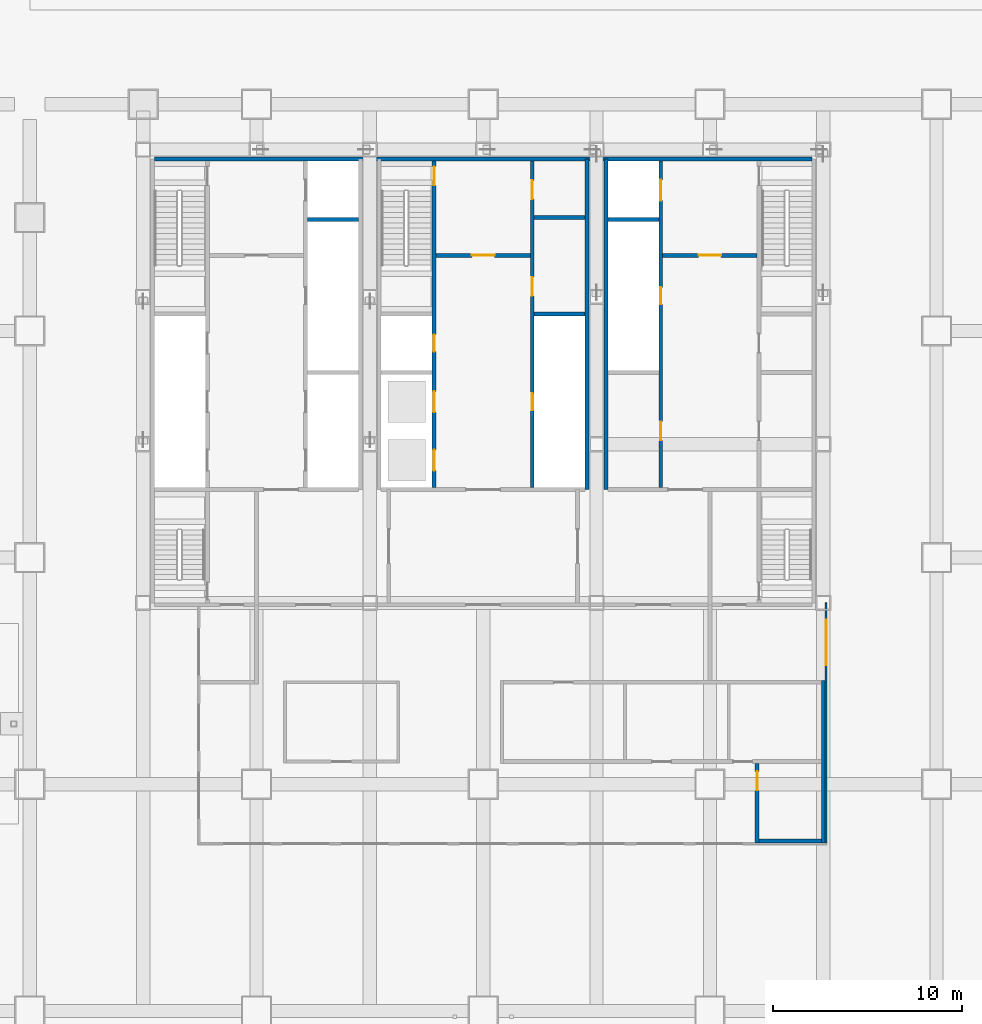
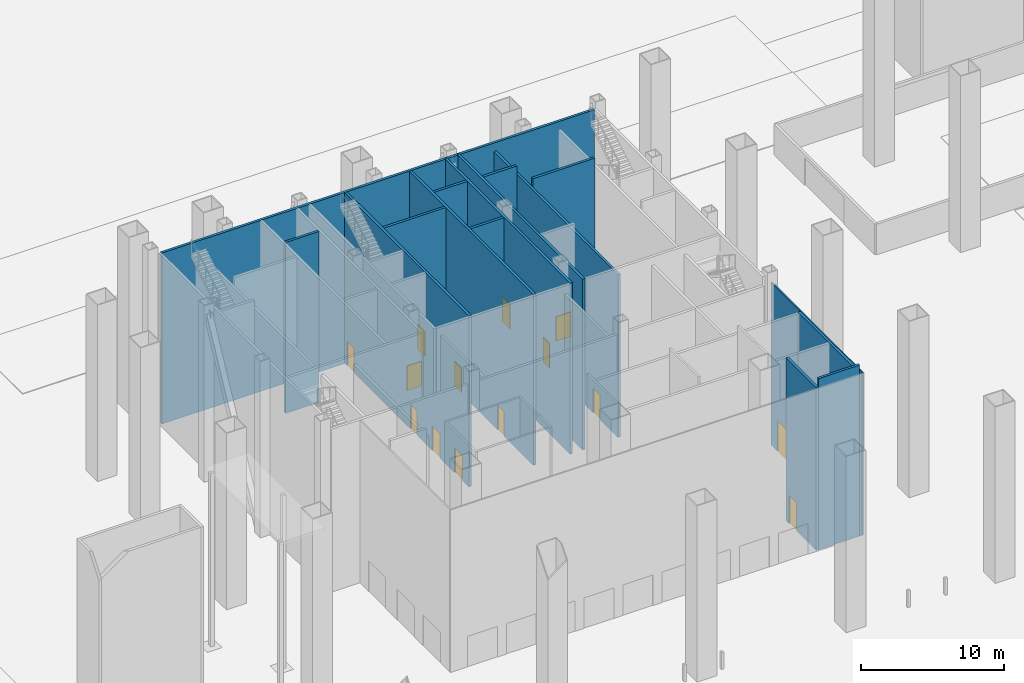
# One storey, part 8 of 22: 16 walls, 14 doors, 14 openings.
"""IFC4 building model written with IfcOpenShell, lengths in metres."""

from ifc_helpers import new_model, si_unit, direction, frame, frame_2d, origin, place, context, subcontext, project, spatial, rectangle, extrude, material, layer, layer_set, type_object, element, fill, save


model = new_model("IFC4")

# Units and contexts
model_context = context("Model", 3, precision=1e-05, world=origin(), true_north=direction((0.0, 1.0)))
body_context = subcontext(model_context, "Body", "Model", "MODEL_VIEW")
ifc_project = project(units=[si_unit("LENGTHUNIT", "METRE"), si_unit("AREAUNIT", "SQUARE_METRE"), si_unit("VOLUMEUNIT", "CUBIC_METRE"), si_unit("PLANEANGLEUNIT", "RADIAN"), si_unit("MASSUNIT", "GRAM", prefix="KILO")], contexts=[model_context])

# Site, building, storey
site_placement = place(None, origin())
site = spatial("IfcSite", under=ifc_project, at=site_placement, CompositionType="ELEMENT")
building_placement = place(site_placement, origin())
building = spatial("IfcBuilding", under=site, at=building_placement, Name="Sorahane Residences", CompositionType="ELEMENT")
storey_placement = place(building_placement, origin())
storey = spatial("IfcBuildingStorey", under=building, at=storey_placement, Name="L00", CompositionType="ELEMENT", Elevation=0.0)

# Walls
ifc_material_1 = material(Name="Concrete C30", Category="concrete")
ifc_layer_1 = layer(ifc_material_1, 0.199951171875)
ifc_layer_set_1 = layer_set([ifc_layer_1], Name="Core face wall 200 EI 180")
wall_type_1 = type_object("IfcWallType", Name="Core face wall 200 EI 180", PredefinedType="SOLIDWALL", material=ifc_layer_set_1)
wall_1_placement = place(storey_placement, frame((6.60009765625, 45.10009765625, 0.0), z_axis=(0.0, 0.0, 1.0), x_axis=(1.0, 0.0, 0.0)))
element("IfcWall", 1, at=wall_1_placement, inside=storey, type_object=wall_type_1, Name="L00 core face wall", PredefinedType="SOLIDWALL", context=body_context, shape_type="SweptSolid", body=[
    extrude(rectangle(XDim=34.7998046875, YDim=0.199951171875, at=frame_2d((17.39990234375, 0.0))), origin(), (0.0, 0.0, 1.0), 14.550048828125),
])
for number, where, z_axis, x_axis, name in (
    (2, (29.5, 27.60009765625, 0.0), (0.0, 0.0, 1.0), (0.0, 1.0, 0.0), "L00 core face wall"),
    (3, (30.5, 27.60009765625, 0.0), (0.0, 0.0, 1.0), (0.0, 1.0, 0.0), "L00 core face wall"),
):
    element("IfcWall", number, at=place(storey_placement, frame(where, z_axis=z_axis, x_axis=x_axis)), inside=storey, type_object=wall_type_1, Name=name, PredefinedType="SOLIDWALL", context=body_context, shape_type="SweptSolid", body=[
        extrude(rectangle(XDim=17.5, YDim=0.199951171875, at=frame_2d((8.75, 0.0))), origin(), (0.0, 0.0, 1.0), 14.550048828125),
    ])

# Wall, opening, door
ifc_material_2 = material(Name="Concrete blockwork C20 wall", Category="masonry")
ifc_layer_2 = layer(ifc_material_2, 0.199951171875)
ifc_layer_set_2 = layer_set([ifc_layer_2], Name="Fire wall 200 EI 120")
wall_type_2 = type_object("IfcWallType", Name="Fire wall 200 EI 120", PredefinedType="SOLIDWALL", material=ifc_layer_set_2)
wall_2_placement = place(storey_placement, frame((38.5, 8.89990234375, 0.0), z_axis=(0.0, 0.0, 1.0), x_axis=(0.0, 1.0, 0.0)))
wall_2 = element("IfcWall", 4, at=wall_2_placement, inside=storey, type_object=wall_type_2, Name="L00 fire wall", PredefinedType="SOLIDWALL", context=body_context, shape_type="SweptSolid", body=[
    extrude(rectangle(XDim=4.2001953125, YDim=0.199951171875, at=frame_2d((2.10009765625, 0.0))), origin(), (0.0, 0.0, 1.0), 13.85009765625),
])
opening_1_placement = place(wall_2_placement, frame((2.780029296875, 0.0, 0.0)))
opening_1 = element("IfcOpeningElement", 5, at=opening_1_placement, cuts=wall_2, Name="Opening L00-01", PredefinedType="OPENING", context=body_context, shape_type="SweptSolid", body=[
    extrude(rectangle(XDim=1.0, YDim=2.39990234375, at=frame_2d((0.5, 1.199951171875))), frame((0.0, 0.10986328125, 0.0), z_axis=(0.0, -1.0, 0.0), x_axis=(1.0, 0.0, 0.0)), (0.0, 0.0, 1.0), 0.219970703125),
])
ifc_material_3 = material(Name="Steel", Category="steel")
door_type_1 = type_object("IfcDoorType", Name="Fire door 1000x2400 FD60", OperationType="NOTDEFINED", PredefinedType="DOOR", material=ifc_material_3)
door_1_placement = place(opening_1_placement, origin())
door_1 = element("IfcDoor", 6, at=door_1_placement, inside=storey, type_object=door_type_1, Name="Fire door L00-01", OperationType="SINGLE_SWING_LEFT", OverallHeight=2.39990234375, OverallWidth=1.0, PredefinedType="DOOR", context=body_context, shape_type="SweptSolid", body=[
    extrude(rectangle(XDim=1.0, YDim=2.39990234375, at=frame_2d((0.5, 1.199951171875))), frame((0.0, 0.02490234375, 0.0), z_axis=(0.0, -1.0, 0.0), x_axis=(1.0, 0.0, 0.0)), (0.0, 0.0, 1.0), 0.050048828125),
])
fill(opening_1, door_1)

# Walls
wall_3_placement = place(storey_placement, frame((42.0, 8.89990234375, 0.0), z_axis=(0.0, 0.0, 1.0), x_axis=(0.0, 1.0, 0.0)))
element("IfcWall", 7, at=wall_3_placement, inside=storey, type_object=wall_type_2, Name="L00 fire wall", PredefinedType="SOLIDWALL", context=body_context, shape_type="SweptSolid", body=[
    extrude(rectangle(XDim=8.60009765625, YDim=0.199951171875, at=frame_2d((4.300048828125, 0.0))), origin(), (0.0, 0.0, 1.0), 13.85009765625),
])
wall_4_placement = place(storey_placement, frame((38.60009765625, 9.0, 0.0), z_axis=(0.0, 0.0, 1.0), x_axis=(1.0, 0.0, 0.0)))
element("IfcWall", 8, at=wall_4_placement, inside=storey, type_object=wall_type_2, Name="L00 fire wall", PredefinedType="SOLIDWALL", context=body_context, shape_type="SweptSolid", body=[
    extrude(rectangle(XDim=3.2998046875, YDim=0.199951171875, at=frame_2d((1.64990234375, 0.0))), origin(), (0.0, 0.0, 1.0), 14.550048828125),
])

# Wall, opening, door
ifc_material_4 = material(Name="Toughened low-iron glass", Category="glass")
ifc_layer_3 = layer(ifc_material_4, 0.10009765625)
ifc_layer_set_3 = layer_set([ifc_layer_3], Name="Frameless glazed screen toughened low-iron glass 100")
wall_type_3 = type_object("IfcWallType", Name="Frameless glazed screen toughened low-iron glass 100", PredefinedType="SOLIDWALL", material=ifc_layer_set_3)
wall_5_placement = place(storey_placement, frame((42.14990234375, 8.89990234375, 0.0), z_axis=(0.0, 0.0, 1.0), x_axis=(0.0, 1.0, 0.0)))
wall_5 = element("IfcWall", 9, at=wall_5_placement, inside=storey, type_object=wall_type_3, Name="Frameless glazed screen L00.1", PredefinedType="SOLIDWALL", context=body_context, shape_type="SweptSolid", body=[
    extrude(rectangle(XDim=12.7001953125, YDim=0.10009765625, at=frame_2d((6.35009765625, 0.0))), origin(), (0.0, 0.0, 1.0), 13.830078125),
])
opening_2_placement = place(wall_5_placement, frame((9.39990234375, 0.0, 0.0)))
opening_2 = element("IfcOpeningElement", 10, at=opening_2_placement, cuts=wall_5, Name="Opening L00-E1", PredefinedType="OPENING", context=body_context, shape_type="SweptSolid", body=[
    extrude(rectangle(XDim=2.39990234375, YDim=2.60009765625, at=frame_2d((1.199951171875, 1.300048828125))), frame((0.0, 0.06005859375, 0.0), z_axis=(0.0, -1.0, 0.0), x_axis=(1.0, 0.0, 0.0)), (0.0, 0.0, 1.0), 0.1201171875),
])
ifc_material_5 = material(Name="Toughened low-iron glass", Category="glass")
door_type_2 = type_object("IfcDoorType", Name="Entrance door frameless glass double 2400x2600", OperationType="DOUBLE_DOOR_SINGLE_SWING", PredefinedType="DOOR", material=ifc_material_5)
door_2_placement = place(opening_2_placement, frame((2.39990234375, 0.0, 0.0), z_axis=(0.0, 0.0, 1.0), x_axis=(-1.0, 0.0, 0.0)))
door_2 = element("IfcDoor", 11, at=door_2_placement, inside=storey, type_object=door_type_2, Name="Entrance door L00-E1", OperationType="DOUBLE_DOOR_SINGLE_SWING", OverallHeight=2.60009765625, OverallWidth=2.39990234375, PredefinedType="DOOR", context=body_context, shape_type="SweptSolid", body=[
    extrude(rectangle(XDim=2.39990234375, YDim=2.60009765625, at=frame_2d((1.199951171875, 1.300048828125))), frame((0.0, 0.02490234375, 0.0), z_axis=(0.0, -1.0, 0.0), x_axis=(1.0, 0.0, 0.0)), (0.0, 0.0, 1.0), 0.050048828125),
])
fill(opening_2, door_2)

ifc_material_6 = material(Name="Concrete C30", Category="concrete")
ifc_layer_4 = layer(ifc_material_6, 0.199951171875)
ifc_layer_set_4 = layer_set([ifc_layer_4], Name="Front room wall 200 EI 120")
wall_type_4 = type_object("IfcWallType", Name="Front room wall 200 EI 120", PredefinedType="PARTITIONING", material=ifc_layer_set_4)
wall_6_placement = place(storey_placement, frame((21.5, 40.0, 0.0), z_axis=(0.0, 0.0, 1.0), x_axis=(1.0, 0.0, 0.0)))
wall_6 = element("IfcWall", 12, at=wall_6_placement, inside=storey, type_object=wall_type_4, Name="L00 front room wall", PredefinedType="PARTITIONING", context=body_context, shape_type="SweptSolid", body=[
    extrude(rectangle(XDim=5.0, YDim=0.199951171875, at=frame_2d((2.5, 0.0))), origin(), (0.0, 0.0, 1.0), 14.550048828125),
])
opening_3_placement = place(wall_6_placement, frame((1.89990234375, 0.0, 0.0)))
opening_3 = element("IfcOpeningElement", 13, at=opening_3_placement, cuts=wall_6, Name="Opening L00-C11", PredefinedType="OPENING", context=body_context, shape_type="SweptSolid", body=[
    extrude(rectangle(XDim=1.199951171875, YDim=2.10009765625, at=frame_2d((0.60009765625, 1.050048828125))), frame((0.0, 0.10986328125, 0.0), z_axis=(0.0, -1.0, 0.0), x_axis=(1.0, 0.0, 0.0)), (0.0, 0.0, 1.0), 0.219970703125),
])
ifc_material_7 = material(Name="Steel", Category="steel")
door_type_3 = type_object("IfcDoorType", Name="Front room door 1200x2100 FD120", OperationType="NOTDEFINED", PredefinedType="DOOR", material=ifc_material_7)
door_3_placement = place(opening_3_placement, frame((1.199951171875, 0.0, 0.0), z_axis=(0.0, 0.0, 1.0), x_axis=(-1.0, 0.0, 0.0)))
door_3 = element("IfcDoor", 14, at=door_3_placement, inside=storey, type_object=door_type_3, Name="Front room door Stair S3 vestibule L00", OperationType="DOUBLE_DOOR_SINGLE_SWING", OverallHeight=2.10009765625, OverallWidth=1.199951171875, PredefinedType="DOOR", context=body_context, shape_type="SweptSolid", body=[
    extrude(rectangle(XDim=1.199951171875, YDim=2.10009765625, at=frame_2d((0.60009765625, 1.050048828125))), frame((0.0, 0.02490234375, 0.0), z_axis=(0.0, -1.0, 0.0), x_axis=(1.0, 0.0, 0.0)), (0.0, 0.0, 1.0), 0.050048828125),
])
fill(opening_3, door_3)

wall_7_placement = place(storey_placement, frame((33.5, 40.0, 0.0), z_axis=(0.0, 0.0, 1.0), x_axis=(1.0, 0.0, 0.0)))
wall_7 = element("IfcWall", 15, at=wall_7_placement, inside=storey, type_object=wall_type_4, Name="L00 front room wall", PredefinedType="PARTITIONING", context=body_context, shape_type="SweptSolid", body=[
    extrude(rectangle(XDim=5.0, YDim=0.199951171875, at=frame_2d((2.5, 0.0))), origin(), (0.0, 0.0, 1.0), 14.550048828125),
])
opening_4_placement = place(wall_7_placement, frame((1.89990234375, 0.0, 0.0)))
opening_4 = element("IfcOpeningElement", 16, at=opening_4_placement, cuts=wall_7, Name="Opening L00-C13", PredefinedType="OPENING", context=body_context, shape_type="SweptSolid", body=[
    extrude(rectangle(XDim=1.199951171875, YDim=2.10009765625, at=frame_2d((0.60009765625, 1.050048828125))), frame((0.0, 0.10986328125, 0.0), z_axis=(0.0, -1.0, 0.0), x_axis=(1.0, 0.0, 0.0)), (0.0, 0.0, 1.0), 0.219970703125),
])
door_4_placement = place(opening_4_placement, frame((1.199951171875, 0.0, 0.0), z_axis=(0.0, 0.0, 1.0), x_axis=(-1.0, 0.0, 0.0)))
door_4 = element("IfcDoor", 17, at=door_4_placement, inside=storey, type_object=door_type_3, Name="Front room door Firefighting lobby FF2 front room L00", OperationType="DOUBLE_DOOR_SINGLE_SWING", OverallHeight=2.10009765625, OverallWidth=1.199951171875, PredefinedType="DOOR", context=body_context, shape_type="SweptSolid", body=[
    extrude(rectangle(XDim=1.199951171875, YDim=2.10009765625, at=frame_2d((0.60009765625, 1.050048828125))), frame((0.0, 0.02490234375, 0.0), z_axis=(0.0, -1.0, 0.0), x_axis=(1.0, 0.0, 0.0)), (0.0, 0.0, 1.0), 0.050048828125),
])
fill(opening_4, door_4)

# Wall, openings, doors
ifc_material_8 = material(Name="Concrete C30", Category="concrete")
ifc_layer_5 = layer(ifc_material_8, 0.199951171875)
ifc_layer_set_5 = layer_set([ifc_layer_5], Name="Lift shaft wall 200 EI 120")
wall_type_5 = type_object("IfcWallType", Name="Lift shaft wall 200 EI 120", PredefinedType="SOLIDWALL", material=ifc_layer_set_5)
wall_8_placement = place(storey_placement, frame((33.39990234375, 27.699951171875, 0.0), z_axis=(0.0, 0.0, 1.0), x_axis=(0.0, 1.0, 0.0)))
wall_8 = element("IfcWall", 18, at=wall_8_placement, inside=storey, type_object=wall_type_5, Name="L00 lift shaft wall", PredefinedType="SOLIDWALL", context=body_context, shape_type="SweptSolid", body=[
    extrude(rectangle(XDim=17.300048828125, YDim=0.199951171875, at=frame_2d((8.64990234375, 0.0))), origin(), (0.0, 0.0, 1.0), 13.85009765625),
])
opening_5_placement = place(wall_8_placement, frame((15.199951171875, 0.0, 0.0)))
opening_5 = element("IfcOpeningElement", 19, at=opening_5_placement, cuts=wall_8, Name="Opening L00-C16", PredefinedType="OPENING", context=body_context, shape_type="SweptSolid", body=[
    extrude(rectangle(XDim=1.10009765625, YDim=2.10009765625, at=frame_2d((0.550048828125, 1.050048828125))), frame((0.0, 0.10986328125, 0.0), z_axis=(0.0, -1.0, 0.0), x_axis=(1.0, 0.0, 0.0)), (0.0, 0.0, 1.0), 0.219970703125),
])
opening_6_placement = place(wall_8_placement, frame((2.5, 0.0, 0.0)))
opening_6 = element("IfcOpeningElement", 20, at=opening_6_placement, cuts=wall_8, Name="Opening L00-C25", PredefinedType="OPENING", context=body_context, shape_type="SweptSolid", body=[
    extrude(rectangle(XDim=1.0, YDim=2.10009765625, at=frame_2d((0.5, 1.050048828125))), frame((0.0, 0.10986328125, 0.0), z_axis=(0.0, -1.0, 0.0), x_axis=(1.0, 0.0, 0.0)), (0.0, 0.0, 1.0), 0.219970703125),
])
opening_7_placement = place(wall_8_placement, frame((9.699951171875, 0.0, 0.0)))
opening_7 = element("IfcOpeningElement", 21, at=opening_7_placement, cuts=wall_8, Name="Opening L00-C32", PredefinedType="OPENING", context=body_context, shape_type="SweptSolid", body=[
    extrude(rectangle(XDim=0.89990234375, YDim=2.10009765625, at=frame_2d((0.449951171875, 1.050048828125))), frame((0.0, 0.10986328125, 0.0), z_axis=(0.0, -1.0, 0.0), x_axis=(1.0, 0.0, 0.0)), (0.0, 0.0, 1.0), 0.219970703125),
])
ifc_material_9 = material(Name="Aluminium and stainless steel", Category="steel")
door_type_4 = type_object("IfcDoorType", Name="Lift landing door 1100x2100 E 60", OperationType="NOTDEFINED", PredefinedType="DOOR", material=ifc_material_9)
door_5_placement = place(opening_5_placement, origin())
door_5 = element("IfcDoor", 22, at=door_5_placement, inside=storey, type_object=door_type_4, Name="Lift landing door FF2 L00", OperationType="DOUBLE_DOOR_SLIDING", OverallHeight=2.10009765625, OverallWidth=1.10009765625, PredefinedType="DOOR", context=body_context, shape_type="SweptSolid", body=[
    extrude(rectangle(XDim=1.10009765625, YDim=2.10009765625, at=frame_2d((0.550048828125, 1.050048828125))), frame((0.0, 0.02490234375, 0.0), z_axis=(0.0, -1.0, 0.0), x_axis=(1.0, 0.0, 0.0)), (0.0, 0.0, 1.0), 0.050048828125),
])
fill(opening_5, door_5)
ifc_material_10 = material(Name="Steel", Category="steel")
door_type_5 = type_object("IfcDoorType", Name="Riser door 900x2100 FD120", OperationType="NOTDEFINED", PredefinedType="DOOR", material=ifc_material_10)
door_6_placement = place(opening_7_placement, frame((0.89990234375, 0.0, 0.0), z_axis=(0.0, 0.0, 1.0), x_axis=(-1.0, 0.0, 0.0)))
door_6 = element("IfcDoor", 23, at=door_6_placement, inside=storey, type_object=door_type_5, Name="Riser door R2 L00", OperationType="SINGLE_SWING_LEFT", OverallHeight=2.10009765625, OverallWidth=0.89990234375, PredefinedType="DOOR", context=body_context, shape_type="SweptSolid", body=[
    extrude(rectangle(XDim=0.89990234375, YDim=2.10009765625, at=frame_2d((0.449951171875, 1.050048828125))), frame((0.0, 0.02490234375, 0.0), z_axis=(0.0, -1.0, 0.0), x_axis=(1.0, 0.0, 0.0)), (0.0, 0.0, 1.0), 0.050048828125),
])
fill(opening_7, door_6)
ifc_material_11 = material(Name="Steel", Category="steel")
door_type_6 = type_object("IfcDoorType", Name="Service room door 1000x2100 FD60", OperationType="NOTDEFINED", PredefinedType="DOOR", material=ifc_material_11)
door_7_placement = place(opening_6_placement, origin())
door_7 = element("IfcDoor", 24, at=door_7_placement, inside=storey, type_object=door_type_6, Name="Service room door Archive L00", OperationType="SINGLE_SWING_RIGHT", OverallHeight=2.10009765625, OverallWidth=1.0, PredefinedType="DOOR", context=body_context, shape_type="SweptSolid", body=[
    extrude(rectangle(XDim=1.0, YDim=2.10009765625, at=frame_2d((0.5, 1.050048828125))), frame((0.0, 0.02490234375, 0.0), z_axis=(0.0, -1.0, 0.0), x_axis=(1.0, 0.0, 0.0)), (0.0, 0.0, 1.0), 0.050048828125),
])
fill(opening_6, door_7)

# Walls
for number, where, z_axis, x_axis, name in (
    (25, (14.699951171875, 41.89990234375, 0.0), (0.0, 0.0, 1.0), (1.0, 0.0, 0.0), "L00 lift shaft wall"),
    (26, (30.60009765625, 41.89990234375, 0.0), (0.0, 0.0, 1.0), (1.0, 0.0, 0.0), "L00 lift shaft wall"),
):
    element("IfcWall", number, at=place(storey_placement, frame(where, z_axis=z_axis, x_axis=x_axis)), inside=storey, type_object=wall_type_5, Name=name, PredefinedType="SOLIDWALL", context=body_context, shape_type="SweptSolid", body=[
        extrude(rectangle(XDim=2.699951171875, YDim=0.199951171875, at=frame_2d((1.35009765625, 0.0))), origin(), (0.0, 0.0, 1.0), 14.550048828125),
    ])

# Wall, openings, doors
ifc_material_12 = material(Name="Concrete C30", Category="concrete")
ifc_layer_6 = layer(ifc_material_12, 0.199951171875)
ifc_layer_set_6 = layer_set([ifc_layer_6], Name="Riser shaft wall 200 EI 120")
wall_type_6 = type_object("IfcWallType", Name="Riser shaft wall 200 EI 120", PredefinedType="SOLIDWALL", material=ifc_layer_set_6)
wall_9_placement = place(storey_placement, frame((26.60009765625, 27.699951171875, 0.0), z_axis=(0.0, 0.0, 1.0), x_axis=(0.0, 1.0, 0.0)))
wall_9 = element("IfcWall", 27, at=wall_9_placement, inside=storey, type_object=wall_type_6, Name="L00 riser wall", PredefinedType="SOLIDWALL", context=body_context, shape_type="SweptSolid", body=[
    extrude(rectangle(XDim=17.300048828125, YDim=0.199951171875, at=frame_2d((8.64990234375, 0.0))), origin(), (0.0, 0.0, 1.0), 14.550048828125),
])
opening_8_placement = place(wall_9_placement, frame((4.10009765625, 0.0, 0.0)))
opening_8 = element("IfcOpeningElement", 28, at=opening_8_placement, cuts=wall_9, Name="Opening L00-C34", PredefinedType="OPENING", context=body_context, shape_type="SweptSolid", body=[
    extrude(rectangle(XDim=0.89990234375, YDim=2.10009765625, at=frame_2d((0.449951171875, 1.050048828125))), frame((0.0, 0.10986328125, 0.0), z_axis=(0.0, -1.0, 0.0), x_axis=(1.0, 0.0, 0.0)), (0.0, 0.0, 1.0), 0.219970703125),
])
opening_9_placement = place(wall_9_placement, frame((10.14990234375, 0.0, 0.0)))
opening_9 = element("IfcOpeningElement", 29, at=opening_9_placement, cuts=wall_9, Name="Opening L00-C35", PredefinedType="OPENING", context=body_context, shape_type="SweptSolid", body=[
    extrude(rectangle(XDim=1.0, YDim=2.10009765625, at=frame_2d((0.5, 1.050048828125))), frame((0.0, 0.10986328125, 0.0), z_axis=(0.0, -1.0, 0.0), x_axis=(1.0, 0.0, 0.0)), (0.0, 0.0, 1.0), 0.219970703125),
])
opening_10_placement = place(wall_9_placement, frame((15.27490234375, 0.0, 0.0)))
opening_10 = element("IfcOpeningElement", 30, at=opening_10_placement, cuts=wall_9, Name="Opening L00-C36", PredefinedType="OPENING", context=body_context, shape_type="SweptSolid", body=[
    extrude(rectangle(XDim=1.0, YDim=2.10009765625, at=frame_2d((0.5, 1.050048828125))), frame((0.0, 0.10986328125, 0.0), z_axis=(0.0, -1.0, 0.0), x_axis=(1.0, 0.0, 0.0)), (0.0, 0.0, 1.0), 0.219970703125),
])
door_8_placement = place(opening_8_placement, origin())
door_8 = element("IfcDoor", 31, at=door_8_placement, inside=storey, type_object=door_type_5, Name="Riser door R4 L00", OperationType="SINGLE_SWING_LEFT", OverallHeight=2.10009765625, OverallWidth=0.89990234375, PredefinedType="DOOR", context=body_context, shape_type="SweptSolid", body=[
    extrude(rectangle(XDim=0.89990234375, YDim=2.10009765625, at=frame_2d((0.449951171875, 1.050048828125))), frame((0.0, 0.02490234375, 0.0), z_axis=(0.0, -1.0, 0.0), x_axis=(1.0, 0.0, 0.0)), (0.0, 0.0, 1.0), 0.050048828125),
])
fill(opening_8, door_8)
door_9_placement = place(opening_9_placement, frame((1.0, 0.0, 0.0), z_axis=(0.0, 0.0, 1.0), x_axis=(-1.0, 0.0, 0.0)))
door_9 = element("IfcDoor", 32, at=door_9_placement, inside=storey, type_object=door_type_6, Name="Service room door Parcel room L00", OperationType="SINGLE_SWING_LEFT", OverallHeight=2.10009765625, OverallWidth=1.0, PredefinedType="DOOR", context=body_context, shape_type="SweptSolid", body=[
    extrude(rectangle(XDim=1.0, YDim=2.10009765625, at=frame_2d((0.5, 1.050048828125))), frame((0.0, 0.02490234375, 0.0), z_axis=(0.0, -1.0, 0.0), x_axis=(1.0, 0.0, 0.0)), (0.0, 0.0, 1.0), 0.050048828125),
])
fill(opening_9, door_9)
door_10_placement = place(opening_10_placement, frame((1.0, 0.0, 0.0), z_axis=(0.0, 0.0, 1.0), x_axis=(-1.0, 0.0, 0.0)))
door_10 = element("IfcDoor", 33, at=door_10_placement, inside=storey, type_object=door_type_6, Name="Service room door Refuse room L00", OperationType="SINGLE_SWING_RIGHT", OverallHeight=2.10009765625, OverallWidth=1.0, PredefinedType="DOOR", context=body_context, shape_type="SweptSolid", body=[
    extrude(rectangle(XDim=1.0, YDim=2.10009765625, at=frame_2d((0.5, 1.050048828125))), frame((0.0, 0.02490234375, 0.0), z_axis=(0.0, -1.0, 0.0), x_axis=(1.0, 0.0, 0.0)), (0.0, 0.0, 1.0), 0.050048828125),
])
fill(opening_10, door_10)

# Walls
wall_10_placement = place(storey_placement, frame((26.699951171875, 36.89990234375, 0.0), z_axis=(0.0, 0.0, 1.0), x_axis=(1.0, 0.0, 0.0)))
element("IfcWall", 34, at=wall_10_placement, inside=storey, type_object=wall_type_6, Name="L00 riser wall", PredefinedType="SOLIDWALL", context=body_context, shape_type="SweptSolid", body=[
    extrude(rectangle(XDim=2.699951171875, YDim=0.199951171875, at=frame_2d((1.35009765625, 0.0))), origin(), (0.0, 0.0, 1.0), 14.550048828125),
])
ifc_material_13 = material(Name="Concrete C30", Category="concrete")
ifc_layer_7 = layer(ifc_material_13, 0.199951171875)
ifc_layer_set_7 = layer_set([ifc_layer_7], Name="Service room partition 200 EI 60")
wall_type_7 = type_object("IfcWallType", Name="Service room partition 200 EI 60", PredefinedType="PARTITIONING", material=ifc_layer_set_7)
wall_11_placement = place(storey_placement, frame((26.699951171875, 42.0, 0.0), z_axis=(0.0, 0.0, 1.0), x_axis=(1.0, 0.0, 0.0)))
element("IfcWall", 35, at=wall_11_placement, inside=storey, type_object=wall_type_7, Name="L00 service room wall", PredefinedType="PARTITIONING", context=body_context, shape_type="SweptSolid", body=[
    extrude(rectangle(XDim=2.699951171875, YDim=0.199951171875, at=frame_2d((1.35009765625, 0.0))), origin(), (0.0, 0.0, 1.0), 14.550048828125),
])

# Wall, openings, doors
ifc_material_14 = material(Name="Concrete C30", Category="concrete")
ifc_layer_8 = layer(ifc_material_14, 0.199951171875)
ifc_layer_set_8 = layer_set([ifc_layer_8], Name="Stair enclosure wall 200 EI 120")
wall_type_8 = type_object("IfcWallType", Name="Stair enclosure wall 200 EI 120", PredefinedType="SOLIDWALL", material=ifc_layer_set_8)
wall_12_placement = place(storey_placement, frame((21.39990234375, 27.699951171875, 0.0), z_axis=(0.0, 0.0, 1.0), x_axis=(0.0, 1.0, 0.0)))
wall_12 = element("IfcWall", 36, at=wall_12_placement, inside=storey, type_object=wall_type_8, Name="L00 stair enclosure wall", PredefinedType="SOLIDWALL", context=body_context, shape_type="SweptSolid", body=[
    extrude(rectangle(XDim=17.300048828125, YDim=0.199951171875, at=frame_2d((8.64990234375, 0.0))), origin(), (0.0, 0.0, 1.0), 14.550048828125),
])
opening_11_placement = place(wall_12_placement, frame((0.89990234375, 0.0, 0.0)))
opening_11 = element("IfcOpeningElement", 37, at=opening_11_placement, cuts=wall_12, Name="Opening L00-C14", PredefinedType="OPENING", context=body_context, shape_type="SweptSolid", body=[
    extrude(rectangle(XDim=1.10009765625, YDim=2.10009765625, at=frame_2d((0.550048828125, 1.050048828125))), frame((0.0, 0.10986328125, 0.0), z_axis=(0.0, -1.0, 0.0), x_axis=(1.0, 0.0, 0.0)), (0.0, 0.0, 1.0), 0.219970703125),
])
opening_12_placement = place(wall_12_placement, frame((4.0, 0.0, 0.0)))
opening_12 = element("IfcOpeningElement", 38, at=opening_12_placement, cuts=wall_12, Name="Opening L00-C15", PredefinedType="OPENING", context=body_context, shape_type="SweptSolid", body=[
    extrude(rectangle(XDim=1.10009765625, YDim=2.10009765625, at=frame_2d((0.550048828125, 1.050048828125))), frame((0.0, 0.10986328125, 0.0), z_axis=(0.0, -1.0, 0.0), x_axis=(1.0, 0.0, 0.0)), (0.0, 0.0, 1.0), 0.219970703125),
])
opening_13_placement = place(wall_12_placement, frame((16.0, 0.0, 0.0)))
opening_13 = element("IfcOpeningElement", 39, at=opening_13_placement, cuts=wall_12, Name="Opening L00-C28", PredefinedType="OPENING", context=body_context, shape_type="SweptSolid", body=[
    extrude(rectangle(XDim=1.0, YDim=2.10009765625, at=frame_2d((0.5, 1.050048828125))), frame((0.0, 0.10986328125, 0.0), z_axis=(0.0, -1.0, 0.0), x_axis=(1.0, 0.0, 0.0)), (0.0, 0.0, 1.0), 0.219970703125),
])
opening_14_placement = place(wall_12_placement, frame((7.199951171875, 0.0, 0.0)))
opening_14 = element("IfcOpeningElement", 40, at=opening_14_placement, cuts=wall_12, Name="Opening L00-C33", PredefinedType="OPENING", context=body_context, shape_type="SweptSolid", body=[
    extrude(rectangle(XDim=0.89990234375, YDim=2.10009765625, at=frame_2d((0.449951171875, 1.050048828125))), frame((0.0, 0.10986328125, 0.0), z_axis=(0.0, -1.0, 0.0), x_axis=(1.0, 0.0, 0.0)), (0.0, 0.0, 1.0), 0.219970703125),
])
door_11_placement = place(opening_11_placement, origin())
door_11 = element("IfcDoor", 41, at=door_11_placement, inside=storey, type_object=door_type_4, Name="Lift landing door SH1 L00", OperationType="DOUBLE_DOOR_SLIDING", OverallHeight=2.10009765625, OverallWidth=1.10009765625, PredefinedType="DOOR", context=body_context, shape_type="SweptSolid", body=[
    extrude(rectangle(XDim=1.10009765625, YDim=2.10009765625, at=frame_2d((0.550048828125, 1.050048828125))), frame((0.0, 0.02490234375, 0.0), z_axis=(0.0, -1.0, 0.0), x_axis=(1.0, 0.0, 0.0)), (0.0, 0.0, 1.0), 0.050048828125),
])
fill(opening_11, door_11)
door_12_placement = place(opening_12_placement, origin())
door_12 = element("IfcDoor", 42, at=door_12_placement, inside=storey, type_object=door_type_4, Name="Lift landing door SH2 L00", OperationType="DOUBLE_DOOR_SLIDING", OverallHeight=2.10009765625, OverallWidth=1.10009765625, PredefinedType="DOOR", context=body_context, shape_type="SweptSolid", body=[
    extrude(rectangle(XDim=1.10009765625, YDim=2.10009765625, at=frame_2d((0.550048828125, 1.050048828125))), frame((0.0, 0.02490234375, 0.0), z_axis=(0.0, -1.0, 0.0), x_axis=(1.0, 0.0, 0.0)), (0.0, 0.0, 1.0), 0.050048828125),
])
fill(opening_12, door_12)
door_13_placement = place(opening_14_placement, frame((0.89990234375, 0.0, 0.0), z_axis=(0.0, 0.0, 1.0), x_axis=(-1.0, 0.0, 0.0)))
door_13 = element("IfcDoor", 43, at=door_13_placement, inside=storey, type_object=door_type_5, Name="Riser door R3 L00", OperationType="SINGLE_SWING_LEFT", OverallHeight=2.10009765625, OverallWidth=0.89990234375, PredefinedType="DOOR", context=body_context, shape_type="SweptSolid", body=[
    extrude(rectangle(XDim=0.89990234375, YDim=2.10009765625, at=frame_2d((0.449951171875, 1.050048828125))), frame((0.0, 0.02490234375, 0.0), z_axis=(0.0, -1.0, 0.0), x_axis=(1.0, 0.0, 0.0)), (0.0, 0.0, 1.0), 0.050048828125),
])
fill(opening_14, door_13)
ifc_material_15 = material(Name="Steel", Category="steel")
door_type_7 = type_object("IfcDoorType", Name="Stair door 1000x2100 FD120", OperationType="NOTDEFINED", PredefinedType="DOOR", material=ifc_material_15)
door_14_placement = place(opening_13_placement, origin())
door_14 = element("IfcDoor", 44, at=door_14_placement, inside=storey, type_object=door_type_7, Name="Stair door S3 L00", OperationType="SINGLE_SWING_LEFT", OverallHeight=2.10009765625, OverallWidth=1.0, PredefinedType="DOOR", context=body_context, shape_type="SweptSolid", body=[
    extrude(rectangle(XDim=1.0, YDim=2.10009765625, at=frame_2d((0.5, 1.050048828125))), frame((0.0, 0.02490234375, 0.0), z_axis=(0.0, -1.0, 0.0), x_axis=(1.0, 0.0, 0.0)), (0.0, 0.0, 1.0), 0.050048828125),
])
fill(opening_13, door_14)

save(model, "model.ifc")
